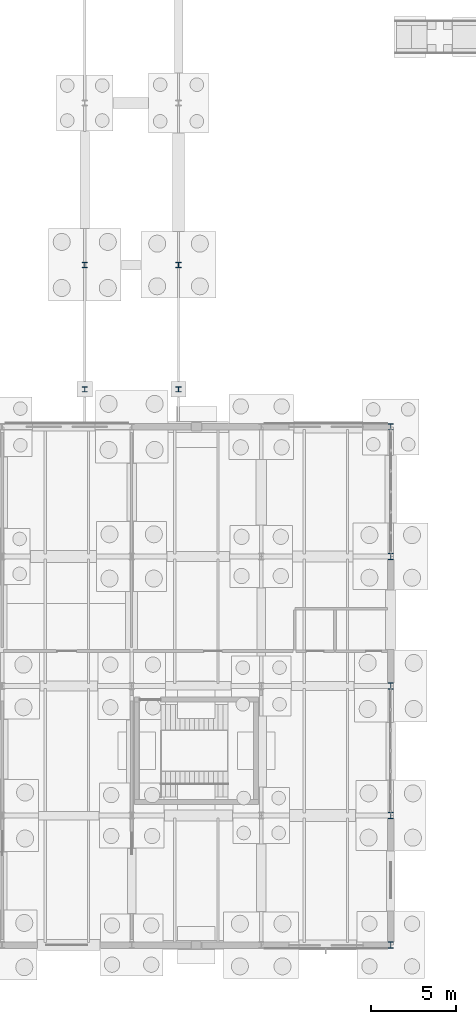
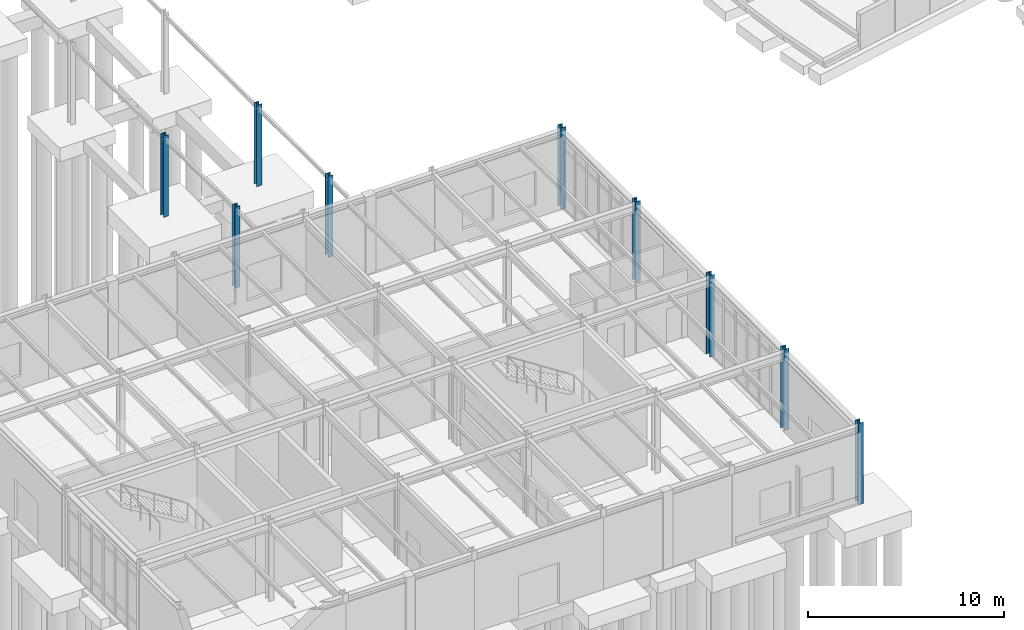
# One storey, part 7 of 109: 9 columns.
"""IFC4 building model written with IfcOpenShell, lengths in metres."""

from ifc_helpers import new_model, si_unit, direction, frame, origin, origin_2d, place, context, subcontext, project, spatial, i_section, extrude, material, material_profile, profile_set, type_object, element, save


model = new_model("IFC4")

# Units and contexts
model_context = context("Model", 3, precision=1e-05, world=origin(), true_north=direction((0.0, 1.0)))
body_context = subcontext(model_context, "Body", "Model", "MODEL_VIEW")
ifc_project = project(units=[si_unit("LENGTHUNIT", "METRE"), si_unit("AREAUNIT", "SQUARE_METRE"), si_unit("VOLUMEUNIT", "CUBIC_METRE"), si_unit("PLANEANGLEUNIT", "RADIAN"), si_unit("MASSUNIT", "GRAM", prefix="KILO")], contexts=[model_context])

# Site, building, storey
site_placement = place(None, origin())
site = spatial("IfcSite", under=ifc_project, at=site_placement, CompositionType="ELEMENT")
building_placement = place(site_placement, origin())
building = spatial("IfcBuilding", under=site, at=building_placement, Name="Montecoro Central Library", CompositionType="ELEMENT")
storey_placement = place(building_placement, origin())
storey = spatial("IfcBuildingStorey", under=building, at=storey_placement, Name="L00", CompositionType="ELEMENT", Elevation=0.0)

# Columns
ifc_material = material(Name="Steel S355", Category="steel")
ifc_material_profile_1 = material_profile(ifc_material, i_section(OverallWidth=0.300048828125, OverallDepth=0.300048828125, WebThickness=0.010986328125, FlangeThickness=0.01904296875, at=origin_2d()), Name="HEB 300")
ifc_profile_set_1 = profile_set([ifc_material_profile_1], Name="Steel S355")
column_type_1 = type_object("IfcColumnType", Name="COL-HEB300", PredefinedType="COLUMN", material=ifc_profile_set_1)
for number, where, z_axis, x_axis, name in (
    (1, (25.050048828125, 37.60009765625, 0.0), (0.0, 0.0, 1.0), (1.0, 0.0, 0.0), "BR-W-L00-COL-250-376"),
    (2, (30.550048828125, 37.60009765625, 0.0), (0.0, 0.0, 1.0), (1.0, 0.0, 0.0), "BR-W-L00-COL-305-376"),
    (3, (25.050048828125, 44.89990234375, 0.0), (0.0, 0.0, 1.0), (1.0, 0.0, 0.0), "BR-W-L00-COL-250-449"),
    (4, (30.550048828125, 44.89990234375, 0.0), (0.0, 0.0, 1.0), (1.0, 0.0, 0.0), "BR-W-L00-COL-305-449"),
):
    element("IfcColumn", number, at=place(storey_placement, frame(where, z_axis=z_axis, x_axis=x_axis)), inside=storey, type_object=column_type_1, Name=name, PredefinedType="COLUMN", context=body_context, shape_type="SweptSolid", body=[
        extrude(i_section(OverallWidth=0.300048828125, OverallDepth=0.300048828125, WebThickness=0.010986328125, FlangeThickness=0.01904296875, at=origin_2d()), origin(), (0.0, 0.0, 1.0), 5.074951171875),
    ])
ifc_material_profile_2 = material_profile(ifc_material, i_section(OverallWidth=0.300048828125, OverallDepth=0.360107421875, WebThickness=0.012451171875, FlangeThickness=0.0224609375, at=origin_2d()), Name="HEB 360")
ifc_profile_set_2 = profile_set([ifc_material_profile_2], Name="Steel S355")
column_type_2 = type_object("IfcColumnType", Name="COL-HEB360", PredefinedType="COLUMN", material=ifc_profile_set_2)
for number, where, z_axis, x_axis, name in (
    (5, (43.0, 5.0, 0.0), (0.0, 0.0, 1.0), (1.0, 0.0, 0.0), "V3-L00-COL-6-A"),
    (6, (43.0, 12.60009765625, 0.0), (0.0, 0.0, 1.0), (1.0, 0.0, 0.0), "V3-L00-COL-6-B"),
    (7, (43.0, 20.199951171875, 0.0), (0.0, 0.0, 1.0), (1.0, 0.0, 0.0), "V3-L00-COL-6-C"),
    (8, (43.0, 27.800048828125, 0.0), (0.0, 0.0, 1.0), (1.0, 0.0, 0.0), "V3-L00-COL-6-D"),
    (9, (43.0, 35.39990234375, 0.0), (0.0, 0.0, 1.0), (1.0, 0.0, 0.0), "V3-L00-COL-6-E"),
):
    element("IfcColumn", number, at=place(storey_placement, frame(where, z_axis=z_axis, x_axis=x_axis)), inside=storey, type_object=column_type_2, Name=name, PredefinedType="COLUMN", context=body_context, shape_type="SweptSolid", body=[
        extrude(i_section(OverallWidth=0.300048828125, OverallDepth=0.360107421875, WebThickness=0.012451171875, FlangeThickness=0.0224609375, at=origin_2d()), origin(), (0.0, 0.0, 1.0), 5.074951171875),
    ])

save(model, "model.ifc")
